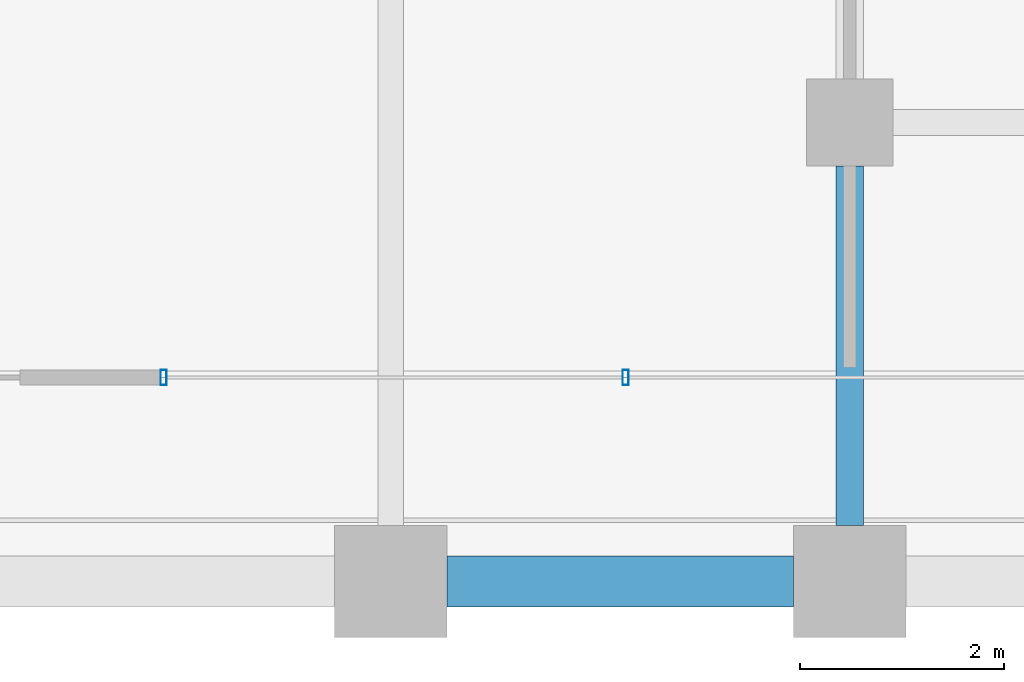
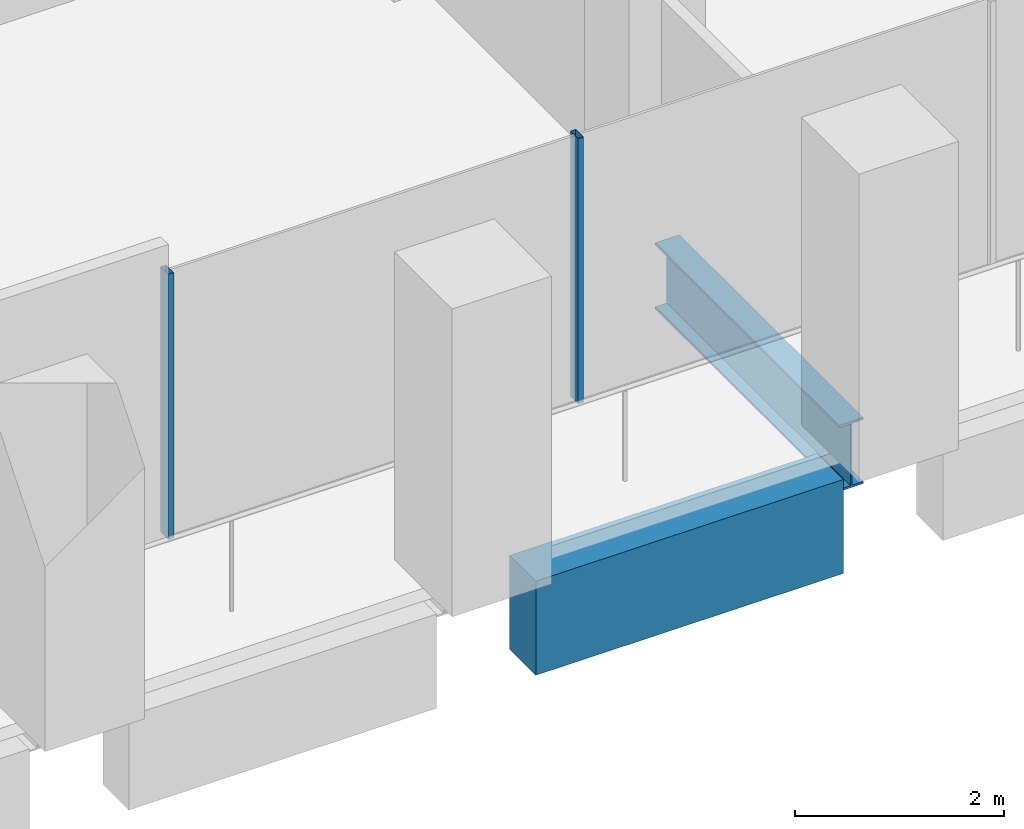
# One storey, part 9 of 56: 2 beams, 2 members, 1 element without a shape of its own.
"""IFC4 building model written with IfcOpenShell, lengths in metres."""

from ifc_helpers import new_model, si_unit, direction, frame, origin, origin_2d, place, context, subcontext, project, spatial, rectangle, hollow_rectangle, i_section, extrude, material, material_profile, profile_set, type_object, element, aggregate, save


model = new_model("IFC4")

# Units and contexts
model_context = context("Model", 3, precision=1e-05, world=origin(), true_north=direction((0.0, 1.0)))
body_context = subcontext(model_context, "Body", "Model", "MODEL_VIEW")
ifc_project = project(units=[si_unit("LENGTHUNIT", "METRE"), si_unit("AREAUNIT", "SQUARE_METRE"), si_unit("VOLUMEUNIT", "CUBIC_METRE"), si_unit("PLANEANGLEUNIT", "RADIAN"), si_unit("MASSUNIT", "GRAM", prefix="KILO")], contexts=[model_context])

# Site, building, storey
site_placement = place(None, origin())
site = spatial("IfcSite", under=ifc_project, at=site_placement, CompositionType="ELEMENT")
building_placement = place(site_placement, origin())
building = spatial("IfcBuilding", under=site, at=building_placement, Name="Altepetl Exchange Towers", CompositionType="ELEMENT")
storey_placement = place(building_placement, frame((0.0, 0.0, 79.800048828125)))
storey = spatial("IfcBuildingStorey", under=building, at=storey_placement, Name="L19", CompositionType="ELEMENT", Elevation=79.800048828125)

# Beam
ifc_material_1 = material(Name="Steel S355", Category="steel")
ifc_material_profile_1 = material_profile(ifc_material_1, i_section(OverallWidth=0.26806640625, OverallDepth=0.77392578125, WebThickness=0.015380859375, FlangeThickness=0.025390625, at=origin_2d()), Name="W30X132")
ifc_profile_set_1 = profile_set([ifc_material_profile_1], Name="Steel S355")
beam_type_1 = type_object("IfcBeamType", Name="Girder W30X132", PredefinedType="BEAM", material=ifc_profile_set_1)
beam_1_placement = place(storey_placement, frame((58.5, 31.074951171875, -0.537109375), z_axis=(0.0, -1.0, 0.0), x_axis=(1.0, 0.0, 0.0)))
element("IfcBeam", 1, at=beam_1_placement, inside=storey, type_object=beam_type_1, Name="gd:A:L19:008", PredefinedType="BEAM", context=body_context, shape_type="SweptSolid", body=[
    extrude(i_section(OverallWidth=0.26806640625, OverallDepth=0.77392578125, WebThickness=0.015380859375, FlangeThickness=0.025390625, at=origin_2d()), origin(), (0.0, 0.0, 1.0), 3.52490234375),
])

# Curtain wall, members
ifc_material_2 = material(Name="Aluminium 6063-T6 glazing", Category="aluminium")
curtain_wall_type = type_object("IfcCurtainWallType", Name="Loggia glazing system", PredefinedType="NOTDEFINED", material=ifc_material_2)
curtain_wall_placement = place(storey_placement, origin())
curtain_wall = element("IfcCurtainWall", 2, at=curtain_wall_placement, inside=storey, type_object=curtain_wall_type, Name="CW1 run", PredefinedType="NOTDEFINED")
ifc_material_3 = material(Name="Aluminium 6063-T6", Category="aluminium")
ifc_material_profile_2 = material_profile(ifc_material_3, hollow_rectangle(XDim=0.06005859375, YDim=0.14990234375, WallThickness=0.0029296875, at=origin_2d()), Name="Mullion 60x150 aluminium")
ifc_profile_set_2 = profile_set([ifc_material_profile_2], Name="Aluminium 6063-T6")
member_type = type_object("IfcMemberType", Name="Mullion 60x150 aluminium", PredefinedType="MULLION", material=ifc_profile_set_2)
member_1_placement = place(storey_placement, frame((51.77294921875, 29.0, 0.0)))
member_1 = element("IfcMember", 3, at=member_1_placement, type_object=member_type, Name="MU1 mullion", PredefinedType="MULLION", context=body_context, shape_type="SweptSolid", body=[
    extrude(hollow_rectangle(XDim=0.06005859375, YDim=0.14990234375, WallThickness=0.0029296875, at=origin_2d()), origin(), (0.0, 0.0, 1.0), 3.099853515625),
])
member_2_placement = place(storey_placement, frame((56.303466796875, 29.0, 0.0)))
member_2 = element("IfcMember", 4, at=member_2_placement, type_object=member_type, Name="MU1 mullion", PredefinedType="MULLION", context=body_context, shape_type="SweptSolid", body=[
    extrude(hollow_rectangle(XDim=0.06005859375, YDim=0.14990234375, WallThickness=0.0029296875, at=origin_2d()), origin(), (0.0, 0.0, 1.0), 3.099853515625),
])
aggregate(curtain_wall, [member_1, member_2])

# Beam
ifc_material_4 = material(Name="Concrete C50/60 precast with cantera blanca facing", Category="concrete")
ifc_material_profile_3 = material_profile(ifc_material_4, rectangle(XDim=0.5, YDim=1.10009765625, at=origin_2d()), Name="500 x 1100")
ifc_profile_set_3 = profile_set([ifc_material_profile_3], Name="Concrete C50/60 precast with cantera blanca facing")
beam_type_2 = type_object("IfcBeamType", Name="Spandrel beam 500x1100 cantera blanca", PredefinedType="SPANDREL", material=ifc_profile_set_3)
beam_2_placement = place(storey_placement, frame((54.550048828125, 27.0, -0.699951171875), z_axis=(1.0, 0.0, 0.0), x_axis=(0.0, 1.0, 0.0)))
element("IfcBeam", 5, at=beam_2_placement, inside=storey, type_object=beam_type_2, Name="sp:A:L19:005", PredefinedType="SPANDREL", context=body_context, shape_type="SweptSolid", body=[
    extrude(rectangle(XDim=0.5, YDim=1.10009765625, at=origin_2d()), origin(), (0.0, 0.0, 1.0), 3.39990234375),
])

save(model, "model.ifc")
